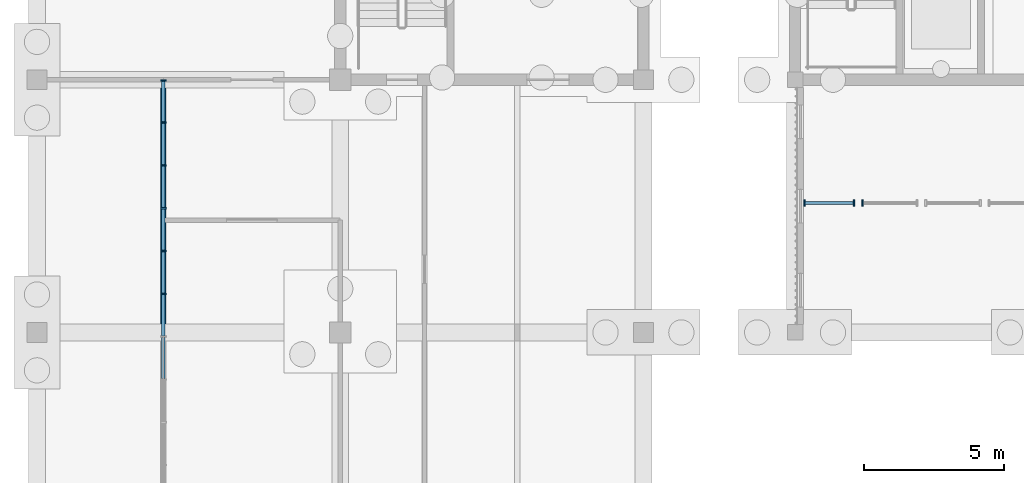
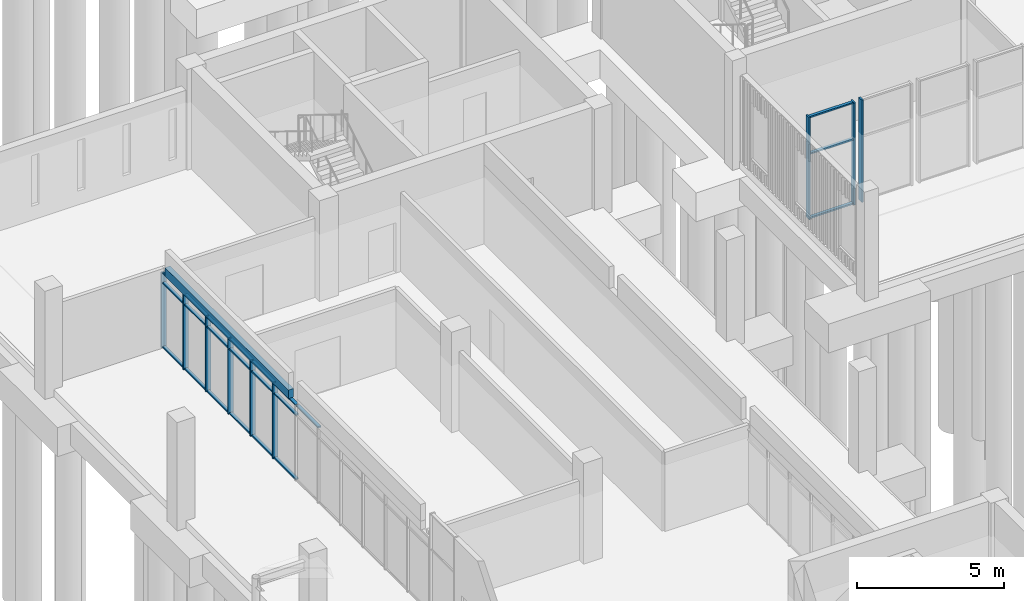
# One storey, part 43 of 106: 31 members, 1 beam, 3 elements without a shape of their own.
"""IFC4 building model written with IfcOpenShell, lengths in metres."""

from ifc_helpers import new_model, si_unit, direction, frame, origin, origin_2d, place, context, subcontext, project, spatial, rectangle, extrude, material, material_profile, profile_set, type_object, element, aggregate, save


model = new_model("IFC4")

# Units and contexts
model_context = context("Model", 3, precision=1e-05, world=origin(), true_north=direction((0.0, 1.0)))
body_context = subcontext(model_context, "Body", "Model", "MODEL_VIEW")
ifc_project = project(units=[si_unit("LENGTHUNIT", "METRE"), si_unit("AREAUNIT", "SQUARE_METRE"), si_unit("VOLUMEUNIT", "CUBIC_METRE"), si_unit("PLANEANGLEUNIT", "RADIAN"), si_unit("MASSUNIT", "GRAM", prefix="KILO")], contexts=[model_context])

# Site, building, storey
site_placement = place(None, origin())
site = spatial("IfcSite", under=ifc_project, at=site_placement, CompositionType="ELEMENT")
building_placement = place(site_placement, origin())
building = spatial("IfcBuilding", under=site, at=building_placement, Name="Merrow Basin Faculty of Sciences", CompositionType="ELEMENT")
storey_placement = place(building_placement, origin())
storey = spatial("IfcBuildingStorey", under=building, at=storey_placement, Name="L00", CompositionType="ELEMENT", Elevation=0.0)

# Curtain wall, members
ifc_material_1 = material(Name="Aluminium alloy 6063", Category="aluminium")
curtain_wall_type_1 = type_object("IfcCurtainWallType", Name="Bar ground curtain wall 200", PredefinedType="NOTDEFINED", material=ifc_material_1)
curtain_wall_1_placement = place(storey_placement, origin())
curtain_wall_1 = element("IfcCurtainWall", 1, at=curtain_wall_1_placement, inside=storey, type_object=curtain_wall_type_1, Name="Ground curtain wall L00 3", PredefinedType="NOTDEFINED")
ifc_material_2 = material(Name="Aluminium alloy 6063", Category="aluminium")
ifc_material_profile_1 = material_profile(ifc_material_2, rectangle(XDim=0.199951171875, YDim=0.06005859375, at=origin_2d()))
ifc_profile_set_1 = profile_set([ifc_material_profile_1], Name="Aluminium alloy 6063")
member_type_1 = type_object("IfcMemberType", Name="Aluminium mullion 60x200", PredefinedType="MULLION", material=ifc_profile_set_1)
member_1_placement = place(storey_placement, frame((4.5, 116.375, 0.0), z_axis=(0.0, 0.0, 1.0), x_axis=(-1.0, 0.0, 0.0)))
member_1 = element("IfcMember", 2, at=member_1_placement, type_object=member_type_1, Name="CW2 mullion 8", PredefinedType="MULLION", context=body_context, shape_type="SweptSolid", body=[
    extrude(rectangle(XDim=0.199951171875, YDim=0.06005859375, at=origin_2d()), origin(), (0.0, 0.0, 1.0), 3.139892578125),
])
member_2_placement = place(storey_placement, frame((4.5, 117.89990234375, 0.0), z_axis=(0.0, 0.0, 1.0), x_axis=(-1.0, 0.0, 0.0)))
member_2 = element("IfcMember", 3, at=member_2_placement, type_object=member_type_1, Name="CW2 mullion 9", PredefinedType="MULLION", context=body_context, shape_type="SweptSolid", body=[
    extrude(rectangle(XDim=0.199951171875, YDim=0.06005859375, at=origin_2d()), origin(), (0.0, 0.0, 1.0), 3.139892578125),
])
member_3_placement = place(storey_placement, frame((4.5, 119.425048828125, 0.0), z_axis=(0.0, 0.0, 1.0), x_axis=(-1.0, 0.0, 0.0)))
member_3 = element("IfcMember", 4, at=member_3_placement, type_object=member_type_1, Name="CW2 mullion 10", PredefinedType="MULLION", context=body_context, shape_type="SweptSolid", body=[
    extrude(rectangle(XDim=0.199951171875, YDim=0.06005859375, at=origin_2d()), origin(), (0.0, 0.0, 1.0), 3.139892578125),
])
member_4_placement = place(storey_placement, frame((4.5, 120.949951171875, 0.0), z_axis=(0.0, 0.0, 1.0), x_axis=(-1.0, 0.0, 0.0)))
member_4 = element("IfcMember", 5, at=member_4_placement, type_object=member_type_1, Name="CW2 mullion 11", PredefinedType="MULLION", context=body_context, shape_type="SweptSolid", body=[
    extrude(rectangle(XDim=0.199951171875, YDim=0.06005859375, at=origin_2d()), origin(), (0.0, 0.0, 1.0), 3.139892578125),
])
member_5_placement = place(storey_placement, frame((4.5, 122.47509765625, 0.0), z_axis=(0.0, 0.0, 1.0), x_axis=(-1.0, 0.0, 0.0)))
member_5 = element("IfcMember", 6, at=member_5_placement, type_object=member_type_1, Name="CW2 mullion 12", PredefinedType="MULLION", context=body_context, shape_type="SweptSolid", body=[
    extrude(rectangle(XDim=0.199951171875, YDim=0.06005859375, at=origin_2d()), origin(), (0.0, 0.0, 1.0), 3.139892578125),
])
member_6_placement = place(storey_placement, frame((4.5, 123.969970703125, 0.0), z_axis=(0.0, 0.0, 1.0), x_axis=(-1.0, 0.0, 0.0)))
member_6 = element("IfcMember", 7, at=member_6_placement, type_object=member_type_1, Name="CW2 mullion 13", PredefinedType="MULLION", context=body_context, shape_type="SweptSolid", body=[
    extrude(rectangle(XDim=0.199951171875, YDim=0.06005859375, at=origin_2d()), origin(), (0.0, 0.0, 1.0), 3.139892578125),
])

ifc_material_3 = material(Name="Aluminium alloy 6063", Category="aluminium")
curtain_wall_type_2 = type_object("IfcCurtainWallType", Name="Arcade curtain wall 220", PredefinedType="NOTDEFINED", material=ifc_material_3)
curtain_wall_2_placement = place(storey_placement, origin())
curtain_wall_2 = element("IfcCurtainWall", 8, at=curtain_wall_2_placement, inside=storey, type_object=curtain_wall_type_2, Name="Arcade curtain wall L00 1", PredefinedType="NOTDEFINED")
ifc_material_4 = material(Name="Aluminium alloy 6063", Category="aluminium")
ifc_material_profile_2 = material_profile(ifc_material_4, rectangle(XDim=0.219970703125, YDim=0.06005859375, at=origin_2d()))
ifc_profile_set_2 = profile_set([ifc_material_profile_2], Name="Aluminium alloy 6063")
member_type_2 = type_object("IfcMemberType", Name="Aluminium mullion 60x220", PredefinedType="MULLION", material=ifc_profile_set_2)
member_7_placement = place(storey_placement, frame((27.3310546875, 119.610107421875, 0.0), z_axis=(0.0, 0.0, 1.0), x_axis=(0.0, 1.0, 0.0)))
member_7 = element("IfcMember", 9, at=member_7_placement, type_object=member_type_2, Name="CW9 mullion 1", PredefinedType="MULLION", context=body_context, shape_type="SweptSolid", body=[
    extrude(rectangle(XDim=0.219970703125, YDim=0.06005859375, at=origin_2d()), origin(), (0.0, 0.0, 1.0), 4.25),
])
member_8_placement = place(storey_placement, frame((29.094970703125, 119.610107421875, 0.0), z_axis=(0.0, 0.0, 1.0), x_axis=(0.0, 1.0, 0.0)))
member_8 = element("IfcMember", 10, at=member_8_placement, type_object=member_type_2, Name="CW9 mullion 2", PredefinedType="MULLION", context=body_context, shape_type="SweptSolid", body=[
    extrude(rectangle(XDim=0.219970703125, YDim=0.06005859375, at=origin_2d()), origin(), (0.0, 0.0, 1.0), 4.25),
])

# Curtain wall, member
curtain_wall_3_placement = place(storey_placement, origin())
curtain_wall_3 = element("IfcCurtainWall", 11, at=curtain_wall_3_placement, inside=storey, type_object=curtain_wall_type_2, Name="Arcade curtain wall L00 2", PredefinedType="NOTDEFINED")
member_9_placement = place(storey_placement, frame((29.405029296875, 119.610107421875, 0.0), z_axis=(0.0, 0.0, 1.0), x_axis=(0.0, 1.0, 0.0)))
member_9 = element("IfcMember", 12, at=member_9_placement, type_object=member_type_2, Name="CW9 mullion 1", PredefinedType="MULLION", context=body_context, shape_type="SweptSolid", body=[
    extrude(rectangle(XDim=0.219970703125, YDim=0.06005859375, at=origin_2d()), origin(), (0.0, 0.0, 1.0), 4.25),
])
aggregate(curtain_wall_3, [member_9])

# Member
ifc_material_5 = material(Name="Aluminium alloy 6063", Category="aluminium")
ifc_material_profile_3 = material_profile(ifc_material_5, rectangle(XDim=0.1201171875, YDim=0.06005859375, at=origin_2d()))
ifc_profile_set_3 = profile_set([ifc_material_profile_3], Name="Aluminium alloy 6063")
member_type_3 = type_object("IfcMemberType", Name="Aluminium transom 60x120", PredefinedType="USERDEFINED", material=ifc_profile_set_3)
member_10_placement = place(storey_placement, frame((4.5, 113.35498046875, 3.110107421875), z_axis=(0.0, 1.0, 0.0), x_axis=(-1.0, 0.0, 0.0)))
member_10 = element("IfcMember", 13, at=member_10_placement, type_object=member_type_3, Name="CW2 transom 6.3", ObjectType="TRANSOM", PredefinedType="USERDEFINED", context=body_context, shape_type="SweptSolid", body=[
    extrude(rectangle(XDim=0.1201171875, YDim=0.06005859375, at=origin_2d()), origin(), (0.0, 0.0, 1.0), 1.465087890625),
])

member_11_placement = place(storey_placement, frame((4.5, 114.8798828125, 0.030029296875), z_axis=(0.0, 1.0, 0.0), x_axis=(-1.0, 0.0, 0.0)))
member_11 = element("IfcMember", 14, at=member_11_placement, type_object=member_type_3, Name="CW2 transom 7.1", ObjectType="TRANSOM", PredefinedType="USERDEFINED", context=body_context, shape_type="SweptSolid", body=[
    extrude(rectangle(XDim=0.1201171875, YDim=0.06005859375, at=origin_2d()), origin(), (0.0, 0.0, 1.0), 1.465087890625),
])

member_12_placement = place(storey_placement, frame((4.5, 114.8798828125, 2.699951171875), z_axis=(0.0, 1.0, 0.0), x_axis=(-1.0, 0.0, 0.0)))
member_12 = element("IfcMember", 15, at=member_12_placement, type_object=member_type_3, Name="CW2 transom 7.2", ObjectType="TRANSOM", PredefinedType="USERDEFINED", context=body_context, shape_type="SweptSolid", body=[
    extrude(rectangle(XDim=0.1201171875, YDim=0.06005859375, at=origin_2d()), origin(), (0.0, 0.0, 1.0), 1.465087890625),
])

member_13_placement = place(storey_placement, frame((4.5, 114.8798828125, 3.110107421875), z_axis=(0.0, 1.0, 0.0), x_axis=(-1.0, 0.0, 0.0)))
member_13 = element("IfcMember", 16, at=member_13_placement, type_object=member_type_3, Name="CW2 transom 7.3", ObjectType="TRANSOM", PredefinedType="USERDEFINED", context=body_context, shape_type="SweptSolid", body=[
    extrude(rectangle(XDim=0.1201171875, YDim=0.06005859375, at=origin_2d()), origin(), (0.0, 0.0, 1.0), 1.465087890625),
])

member_14_placement = place(storey_placement, frame((4.5, 116.405029296875, 0.030029296875), z_axis=(0.0, 1.0, 0.0), x_axis=(-1.0, 0.0, 0.0)))
member_14 = element("IfcMember", 17, at=member_14_placement, type_object=member_type_3, Name="CW2 transom 8.1", ObjectType="TRANSOM", PredefinedType="USERDEFINED", context=body_context, shape_type="SweptSolid", body=[
    extrude(rectangle(XDim=0.1201171875, YDim=0.06005859375, at=origin_2d()), origin(), (0.0, 0.0, 1.0), 1.465087890625),
])

member_15_placement = place(storey_placement, frame((4.5, 116.405029296875, 2.699951171875), z_axis=(0.0, 1.0, 0.0), x_axis=(-1.0, 0.0, 0.0)))
member_15 = element("IfcMember", 18, at=member_15_placement, type_object=member_type_3, Name="CW2 transom 8.2", ObjectType="TRANSOM", PredefinedType="USERDEFINED", context=body_context, shape_type="SweptSolid", body=[
    extrude(rectangle(XDim=0.1201171875, YDim=0.06005859375, at=origin_2d()), origin(), (0.0, 0.0, 1.0), 1.465087890625),
])

member_16_placement = place(storey_placement, frame((4.5, 116.405029296875, 3.110107421875), z_axis=(0.0, 1.0, 0.0), x_axis=(-1.0, 0.0, 0.0)))
member_16 = element("IfcMember", 19, at=member_16_placement, type_object=member_type_3, Name="CW2 transom 8.3", ObjectType="TRANSOM", PredefinedType="USERDEFINED", context=body_context, shape_type="SweptSolid", body=[
    extrude(rectangle(XDim=0.1201171875, YDim=0.06005859375, at=origin_2d()), origin(), (0.0, 0.0, 1.0), 1.465087890625),
])

member_17_placement = place(storey_placement, frame((4.5, 117.929931640625, 0.030029296875), z_axis=(0.0, 1.0, 0.0), x_axis=(-1.0, 0.0, 0.0)))
member_17 = element("IfcMember", 20, at=member_17_placement, type_object=member_type_3, Name="CW2 transom 9.1", ObjectType="TRANSOM", PredefinedType="USERDEFINED", context=body_context, shape_type="SweptSolid", body=[
    extrude(rectangle(XDim=0.1201171875, YDim=0.06005859375, at=origin_2d()), origin(), (0.0, 0.0, 1.0), 1.465087890625),
])

member_18_placement = place(storey_placement, frame((4.5, 117.929931640625, 2.699951171875), z_axis=(0.0, 1.0, 0.0), x_axis=(-1.0, 0.0, 0.0)))
member_18 = element("IfcMember", 21, at=member_18_placement, type_object=member_type_3, Name="CW2 transom 9.2", ObjectType="TRANSOM", PredefinedType="USERDEFINED", context=body_context, shape_type="SweptSolid", body=[
    extrude(rectangle(XDim=0.1201171875, YDim=0.06005859375, at=origin_2d()), origin(), (0.0, 0.0, 1.0), 1.465087890625),
])

member_19_placement = place(storey_placement, frame((4.5, 117.929931640625, 3.110107421875), z_axis=(0.0, 1.0, 0.0), x_axis=(-1.0, 0.0, 0.0)))
member_19 = element("IfcMember", 22, at=member_19_placement, type_object=member_type_3, Name="CW2 transom 9.3", ObjectType="TRANSOM", PredefinedType="USERDEFINED", context=body_context, shape_type="SweptSolid", body=[
    extrude(rectangle(XDim=0.1201171875, YDim=0.06005859375, at=origin_2d()), origin(), (0.0, 0.0, 1.0), 1.465087890625),
])

member_20_placement = place(storey_placement, frame((4.5, 119.455078125, 0.030029296875), z_axis=(0.0, 1.0, 0.0), x_axis=(-1.0, 0.0, 0.0)))
member_20 = element("IfcMember", 23, at=member_20_placement, type_object=member_type_3, Name="CW2 transom 10.1", ObjectType="TRANSOM", PredefinedType="USERDEFINED", context=body_context, shape_type="SweptSolid", body=[
    extrude(rectangle(XDim=0.1201171875, YDim=0.06005859375, at=origin_2d()), origin(), (0.0, 0.0, 1.0), 1.46484375),
])

member_21_placement = place(storey_placement, frame((4.5, 119.455078125, 2.699951171875), z_axis=(0.0, 1.0, 0.0), x_axis=(-1.0, 0.0, 0.0)))
member_21 = element("IfcMember", 24, at=member_21_placement, type_object=member_type_3, Name="CW2 transom 10.2", ObjectType="TRANSOM", PredefinedType="USERDEFINED", context=body_context, shape_type="SweptSolid", body=[
    extrude(rectangle(XDim=0.1201171875, YDim=0.06005859375, at=origin_2d()), origin(), (0.0, 0.0, 1.0), 1.46484375),
])

member_22_placement = place(storey_placement, frame((4.5, 119.455078125, 3.110107421875), z_axis=(0.0, 1.0, 0.0), x_axis=(-1.0, 0.0, 0.0)))
member_22 = element("IfcMember", 25, at=member_22_placement, type_object=member_type_3, Name="CW2 transom 10.3", ObjectType="TRANSOM", PredefinedType="USERDEFINED", context=body_context, shape_type="SweptSolid", body=[
    extrude(rectangle(XDim=0.1201171875, YDim=0.06005859375, at=origin_2d()), origin(), (0.0, 0.0, 1.0), 1.46484375),
])

member_23_placement = place(storey_placement, frame((4.5, 120.97998046875, 0.030029296875), z_axis=(0.0, 1.0, 0.0), x_axis=(-1.0, 0.0, 0.0)))
member_23 = element("IfcMember", 26, at=member_23_placement, type_object=member_type_3, Name="CW2 transom 11.1", ObjectType="TRANSOM", PredefinedType="USERDEFINED", context=body_context, shape_type="SweptSolid", body=[
    extrude(rectangle(XDim=0.1201171875, YDim=0.06005859375, at=origin_2d()), origin(), (0.0, 0.0, 1.0), 1.465087890625),
])

member_24_placement = place(storey_placement, frame((4.5, 120.97998046875, 2.699951171875), z_axis=(0.0, 1.0, 0.0), x_axis=(-1.0, 0.0, 0.0)))
member_24 = element("IfcMember", 27, at=member_24_placement, type_object=member_type_3, Name="CW2 transom 11.2", ObjectType="TRANSOM", PredefinedType="USERDEFINED", context=body_context, shape_type="SweptSolid", body=[
    extrude(rectangle(XDim=0.1201171875, YDim=0.06005859375, at=origin_2d()), origin(), (0.0, 0.0, 1.0), 1.465087890625),
])

member_25_placement = place(storey_placement, frame((4.5, 120.97998046875, 3.110107421875), z_axis=(0.0, 1.0, 0.0), x_axis=(-1.0, 0.0, 0.0)))
member_25 = element("IfcMember", 28, at=member_25_placement, type_object=member_type_3, Name="CW2 transom 11.3", ObjectType="TRANSOM", PredefinedType="USERDEFINED", context=body_context, shape_type="SweptSolid", body=[
    extrude(rectangle(XDim=0.1201171875, YDim=0.06005859375, at=origin_2d()), origin(), (0.0, 0.0, 1.0), 1.465087890625),
])

member_26_placement = place(storey_placement, frame((4.5, 122.5048828125, 0.030029296875), z_axis=(0.0, 1.0, 0.0), x_axis=(-1.0, 0.0, 0.0)))
member_26 = element("IfcMember", 29, at=member_26_placement, type_object=member_type_3, Name="CW2 transom 12.1", ObjectType="TRANSOM", PredefinedType="USERDEFINED", context=body_context, shape_type="SweptSolid", body=[
    extrude(rectangle(XDim=0.1201171875, YDim=0.06005859375, at=origin_2d()), origin(), (0.0, 0.0, 1.0), 1.43505859375),
])

member_27_placement = place(storey_placement, frame((4.5, 122.5048828125, 2.699951171875), z_axis=(0.0, 1.0, 0.0), x_axis=(-1.0, 0.0, 0.0)))
member_27 = element("IfcMember", 30, at=member_27_placement, type_object=member_type_3, Name="CW2 transom 12.2", ObjectType="TRANSOM", PredefinedType="USERDEFINED", context=body_context, shape_type="SweptSolid", body=[
    extrude(rectangle(XDim=0.1201171875, YDim=0.06005859375, at=origin_2d()), origin(), (0.0, 0.0, 1.0), 1.43505859375),
])

member_28_placement = place(storey_placement, frame((4.5, 122.5048828125, 3.110107421875), z_axis=(0.0, 1.0, 0.0), x_axis=(-1.0, 0.0, 0.0)))
member_28 = element("IfcMember", 31, at=member_28_placement, type_object=member_type_3, Name="CW2 transom 12.3", ObjectType="TRANSOM", PredefinedType="USERDEFINED", context=body_context, shape_type="SweptSolid", body=[
    extrude(rectangle(XDim=0.1201171875, YDim=0.06005859375, at=origin_2d()), origin(), (0.0, 0.0, 1.0), 1.43505859375),
])

aggregate(curtain_wall_1, [member_1, member_2, member_3, member_4, member_5, member_6, member_10, member_11, member_12, member_13, member_14, member_15, member_16, member_17, member_18, member_19, member_20, member_21, member_22, member_23, member_24, member_25, member_26, member_27, member_28])

member_29_placement = place(storey_placement, frame((27.361083984375, 119.610107421875, 0.030029296875), z_axis=(1.0, 0.0, 0.0), x_axis=(0.0, 1.0, 0.0)))
member_29 = element("IfcMember", 32, at=member_29_placement, type_object=member_type_3, Name="CW9 transom 1.1", ObjectType="TRANSOM", PredefinedType="USERDEFINED", context=body_context, shape_type="SweptSolid", body=[
    extrude(rectangle(XDim=0.1201171875, YDim=0.06005859375, at=origin_2d()), origin(), (0.0, 0.0, 1.0), 1.703857421875),
])

member_30_placement = place(storey_placement, frame((27.361083984375, 119.610107421875, 2.699951171875), z_axis=(1.0, 0.0, 0.0), x_axis=(0.0, 1.0, 0.0)))
member_30 = element("IfcMember", 33, at=member_30_placement, type_object=member_type_3, Name="CW9 transom 1.2", ObjectType="TRANSOM", PredefinedType="USERDEFINED", context=body_context, shape_type="SweptSolid", body=[
    extrude(rectangle(XDim=0.1201171875, YDim=0.06005859375, at=origin_2d()), origin(), (0.0, 0.0, 1.0), 1.703857421875),
])

member_31_placement = place(storey_placement, frame((27.361083984375, 119.610107421875, 4.219970703125), z_axis=(1.0, 0.0, 0.0), x_axis=(0.0, 1.0, 0.0)))
member_31 = element("IfcMember", 34, at=member_31_placement, type_object=member_type_3, Name="CW9 transom 1.3", ObjectType="TRANSOM", PredefinedType="USERDEFINED", context=body_context, shape_type="SweptSolid", body=[
    extrude(rectangle(XDim=0.1201171875, YDim=0.06005859375, at=origin_2d()), origin(), (0.0, 0.0, 1.0), 1.703857421875),
])

aggregate(curtain_wall_2, [member_7, member_8, member_29, member_30, member_31])

# Beam
ifc_material_6 = material(Name="Concrete C40/50", Category="concrete")
ifc_material_profile_4 = material_profile(ifc_material_6, rectangle(XDim=0.199951171875, YDim=0.360107421875, at=origin_2d()))
ifc_profile_set_4 = profile_set([ifc_material_profile_4], Name="Concrete C40/50")
beam_type = type_object("IfcBeamType", Name="Precast sill beam 200 x 360 Concrete C40/50", PredefinedType="BEAM", material=ifc_profile_set_4)
beam_placement = place(storey_placement, frame((4.5, 115.300048828125, 3.320068359375), z_axis=(0.0, 1.0, 0.0), x_axis=(-1.0, 0.0, 0.0)))
element("IfcBeam", 35, at=beam_placement, inside=storey, type_object=beam_type, Name="Recess sill beam", PredefinedType="BEAM", context=body_context, shape_type="SweptSolid", body=[
    extrude(rectangle(XDim=0.199951171875, YDim=0.360107421875, at=origin_2d()), origin(), (0.0, 0.0, 1.0), 8.39990234375),
])

save(model, "model.ifc")
